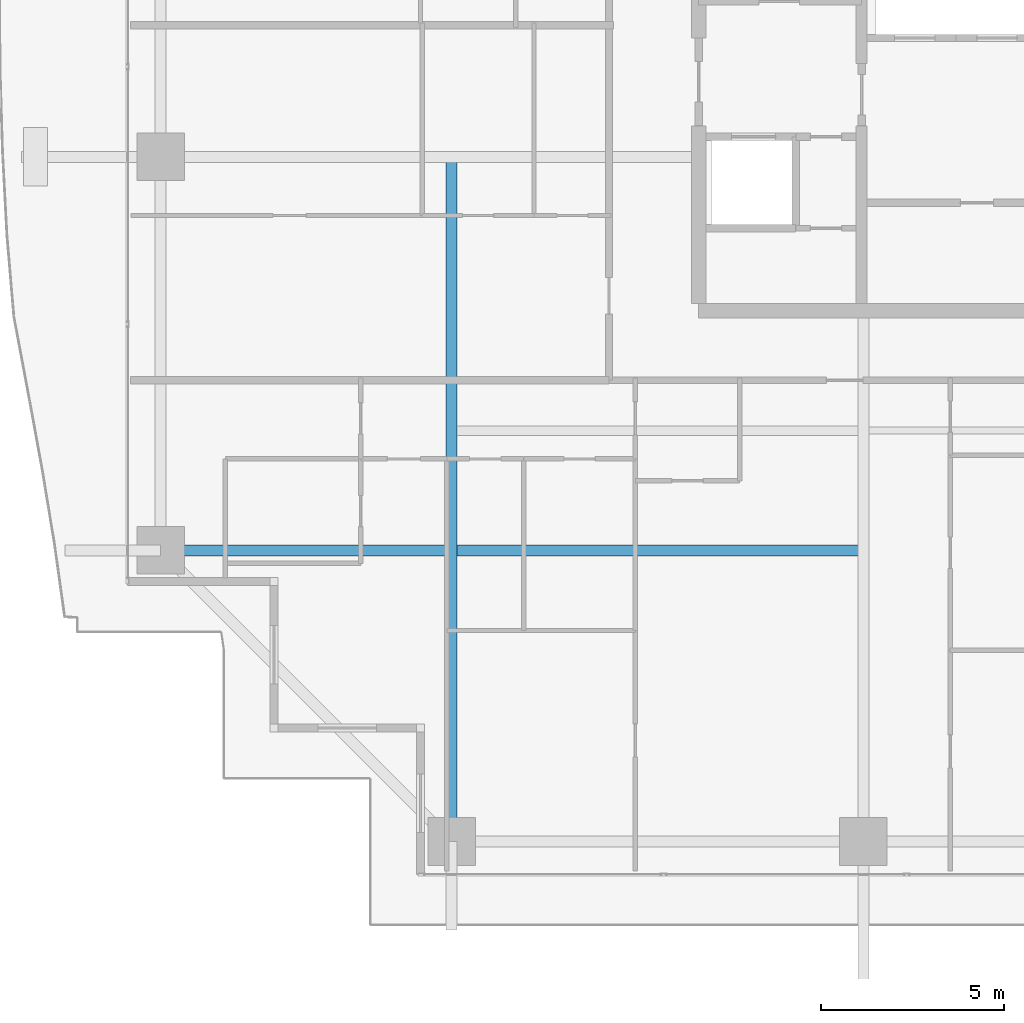
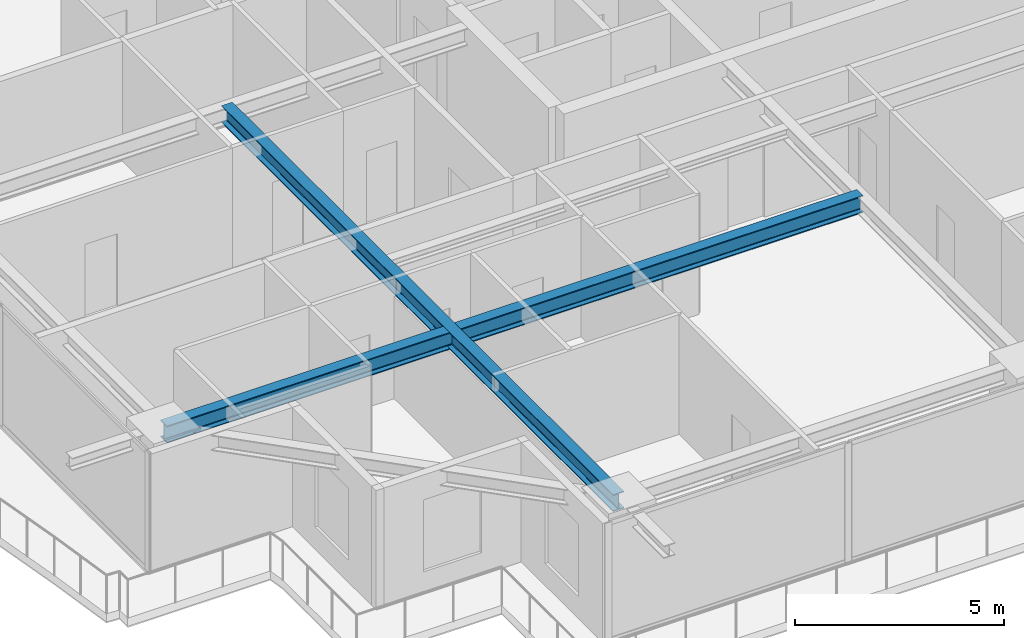
# One storey, part 4 of 37: 2 beams.
"""IFC4 building model written with IfcOpenShell, lengths in metres."""

from ifc_helpers import new_model, si_unit, direction, frame, origin, origin_2d, place, context, subcontext, project, spatial, i_section, extrude, source, transform, mapped, material, material_profile, profile_set, type_object, element, save


model = new_model("IFC4")

# Units and contexts
model_context = context("Model", 3, precision=1e-05, world=origin(), true_north=direction((0.0, 1.0)))
body_context = subcontext(model_context, "Body", "Model", "MODEL_VIEW")
ifc_project = project(units=[si_unit("LENGTHUNIT", "METRE"), si_unit("AREAUNIT", "SQUARE_METRE"), si_unit("VOLUMEUNIT", "CUBIC_METRE"), si_unit("PLANEANGLEUNIT", "RADIAN"), si_unit("MASSUNIT", "GRAM", prefix="KILO")], contexts=[model_context])

# Site, building, storey
site_placement = place(None, origin())
site = spatial("IfcSite", under=ifc_project, at=site_placement, CompositionType="ELEMENT")
building_placement = place(site_placement, origin())
building = spatial("IfcBuilding", under=site, at=building_placement, Name="Serunith Strait Residences", CompositionType="ELEMENT")
storey_placement = place(building_placement, frame((0.0, 0.0, 153.89990234375)))
storey = spatial("IfcBuildingStorey", under=building, at=storey_placement, Name="L38", CompositionType="ELEMENT", Elevation=153.89990234375)

# Beams
ifc_material = material(Name="Steel S355J2", Category="steel")
ifc_material_profile = material_profile(ifc_material, i_section(OverallWidth=0.300048828125, OverallDepth=0.5, WebThickness=0.014404296875, FlangeThickness=0.028076171875, FilletRadius=0.027099609375, at=origin_2d()), Name="HEB 500")
ifc_profile_set = profile_set([ifc_material_profile], Name="Steel S355J2")
beam_type = type_object("IfcBeamType", Name="BM-HEB500", PredefinedType="BEAM", material=ifc_profile_set)
shared_shape_1 = source(origin(), body_context, "Body", "SweptSolid", [
    extrude(i_section(OverallWidth=0.300048828125, OverallDepth=0.5, WebThickness=0.014404296875, FlangeThickness=0.028076171875, FilletRadius=0.027099609375, at=origin_2d()), origin(), (0.0, 0.0, 1.0), 18.699951171875),
])
beam_1_placement = place(storey_placement, frame((16.64990234375, 21.0, 3.237060546875), z_axis=(0.0, -1.0, 0.0), x_axis=(1.0, 0.0, 0.0)))
element("IfcBeam", 1, at=beam_1_placement, inside=storey, type_object=beam_type, Name="L38 Orthogonal Corner Girder TC-S1", PredefinedType="BEAM", context=body_context, shape_type="MappedRepresentation", body=[
    mapped(shared_shape_1, transform((0.0, 0.0, 0.0), scale=1.0)),
])
shared_shape_2 = source(origin(), body_context, "Body", "SweptSolid", [
    extrude(i_section(OverallWidth=0.300048828125, OverallDepth=0.5, WebThickness=0.014404296875, FlangeThickness=0.028076171875, FilletRadius=0.027099609375, at=origin_2d()), origin(), (0.0, 0.0, 1.0), 19.199951171875),
])
beam_2_placement = place(storey_placement, frame((27.89990234375, 10.25, 3.237060546875), z_axis=(-1.0, 0.0, 0.0), x_axis=(0.0, -1.0, 0.0)))
element("IfcBeam", 2, at=beam_2_placement, inside=storey, type_object=beam_type, Name="L38 Orthogonal Corner Girder TC-W1", PredefinedType="BEAM", context=body_context, shape_type="MappedRepresentation", body=[
    mapped(shared_shape_2, transform((0.0, 0.0, 0.0), scale=1.0)),
])

save(model, "model.ifc")
